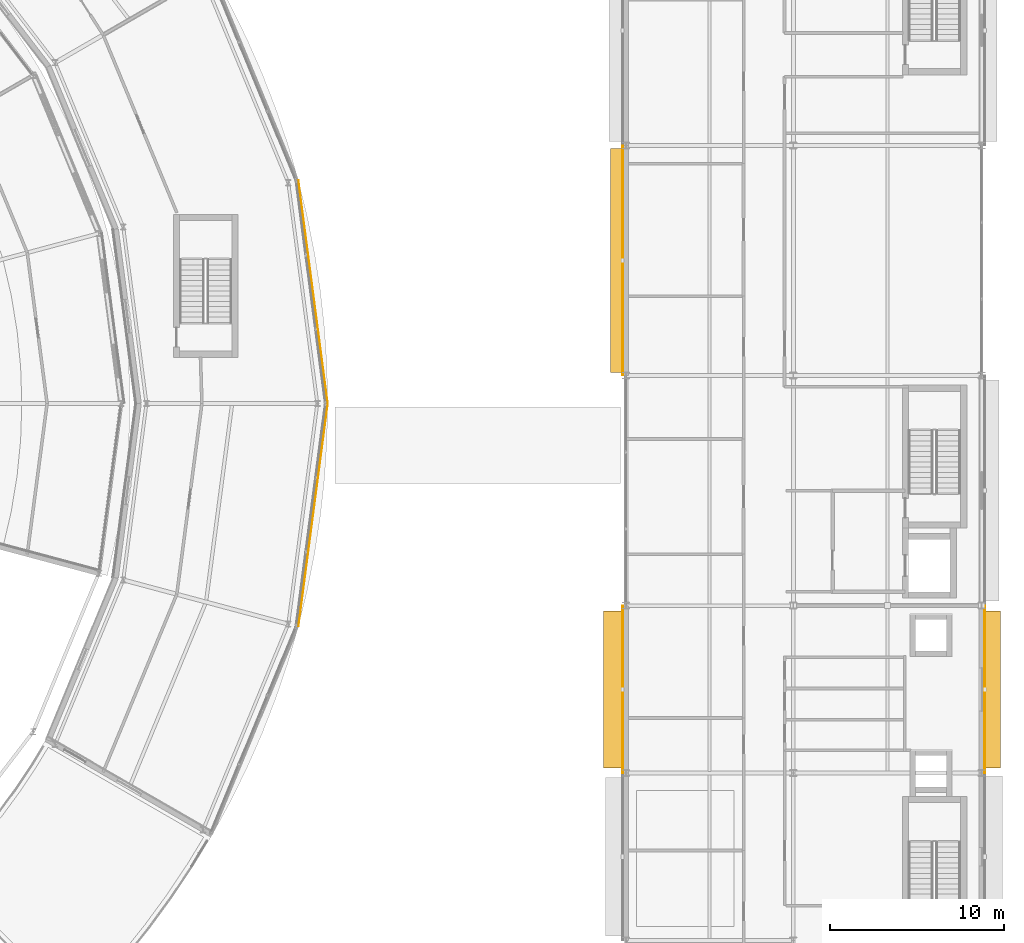
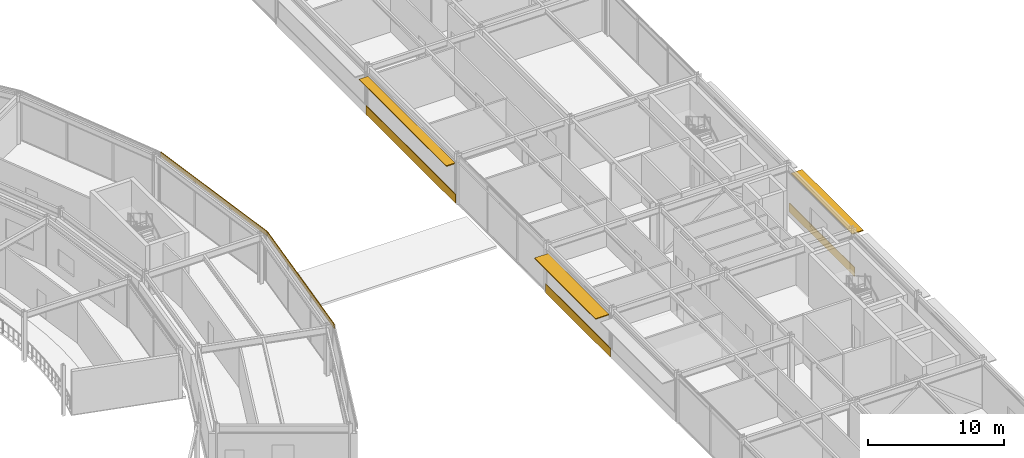
# One storey, part 131 of 133: 5 coverings, 3 shading devices.
"""IFC4 building model written with IfcOpenShell, lengths in metres."""

from ifc_helpers import new_model, si_unit, direction, frame, origin, origin_2d, place, context, subcontext, project, spatial, rectangle, extrude, material, layer, layer_set, type_object, element, save


model = new_model("IFC4")

# Units and contexts
model_context = context("Model", 3, precision=1e-05, world=origin(), true_north=direction((0.0, 1.0)))
body_context = subcontext(model_context, "Body", "Model", "MODEL_VIEW")
ifc_project = project(units=[si_unit("LENGTHUNIT", "METRE"), si_unit("AREAUNIT", "SQUARE_METRE"), si_unit("VOLUMEUNIT", "CUBIC_METRE"), si_unit("PLANEANGLEUNIT", "RADIAN"), si_unit("MASSUNIT", "GRAM", prefix="KILO")], contexts=[model_context])

# Site, building, storey
site_placement = place(None, origin())
site = spatial("IfcSite", under=ifc_project, at=site_placement, CompositionType="ELEMENT")
building_placement = place(site_placement, origin())
building = spatial("IfcBuilding", under=site, at=building_placement, Name="Almandine Court Research Institute", CompositionType="ELEMENT")
storey_placement = place(building_placement, frame((0.0, 0.0, 9.800048828125)))
storey = spatial("IfcBuildingStorey", under=building, at=storey_placement, Name="L02", CompositionType="ELEMENT", Elevation=9.800048828125)

# Coverings
ifc_material_1 = material(Name="Extruded Cream-Ochre Seismic Terracotta Spandrel", Category="masonry")
ifc_layer_1 = layer(ifc_material_1, 0.054931640625)
ifc_layer_set_1 = layer_set([ifc_layer_1], Name="Extruded Cream-Ochre Seismic Terracotta Spandrel")
covering_type = type_object("IfcCoveringType", Name="Cov-CLAD-TERR", PredefinedType="CLADDING", material=ifc_layer_set_1)
covering_1_placement = place(storey_placement, frame((153.428955078125, 39.60009765625, 0.02001953125), z_axis=(0.0, 0.0, 1.0), x_axis=(0.0, 1.0, 0.0)))
element("IfcCovering", 1, at=covering_1_placement, inside=storey, type_object=covering_type, Name="L02 Facade Spandrel Cladding Band 139", PredefinedType="CLADDING", context=body_context, shape_type="SweptSolid", body=[
    extrude(rectangle(XDim=9.592041015625, YDim=0.054931640625, at=origin_2d()), origin(), (0.0, 0.0, 1.0), 0.800048828125),
])
covering_2_placement = place(storey_placement, frame((153.428955078125, 64.199951171875, 0.02001953125), z_axis=(0.0, 0.0, 1.0), x_axis=(0.0, 1.0, 0.0)))
element("IfcCovering", 2, at=covering_2_placement, inside=storey, type_object=covering_type, Name="L02 Facade Spandrel Cladding Band 140", PredefinedType="CLADDING", context=body_context, shape_type="SweptSolid", body=[
    extrude(rectangle(XDim=13.19189453125, YDim=0.054931640625, at=origin_2d()), origin(), (0.0, 0.0, 1.0), 0.800048828125),
])
covering_3_placement = place(storey_placement, frame((174.1708984375, 39.60009765625, 0.02001953125), z_axis=(0.0, 0.0, 1.0), x_axis=(0.0, -1.0, 0.0)))
element("IfcCovering", 3, at=covering_3_placement, inside=storey, type_object=covering_type, Name="L02 Facade Spandrel Cladding Band 147", PredefinedType="CLADDING", context=body_context, shape_type="SweptSolid", body=[
    extrude(rectangle(XDim=9.592041015625, YDim=0.054931640625, at=origin_2d()), origin(), (0.0, 0.0, 1.0), 0.800048828125),
])
for number, where, z_axis, x_axis, name in (
    (4, (135.638916015625, 49.595947265625, 3.97998046875), (0.0, 0.0, 1.0), (-0.13052619222, -0.991444861374, 0.0), "L02 Drum Stacked Terracotta Ring Band 23"),
    (5, (135.638916015625, 62.404052734375, 3.97998046875), (0.0, 0.0, 1.0), (0.13052619222, -0.991444861374, 0.0), "L02 Drum Stacked Terracotta Ring Band 00"),
):
    element("IfcCovering", number, at=place(storey_placement, frame(where, z_axis=z_axis, x_axis=x_axis)), inside=storey, type_object=covering_type, Name=name, PredefinedType="CLADDING", context=body_context, shape_type="SweptSolid", body=[
        extrude(rectangle(XDim=12.8779296875, YDim=0.054931640625, at=origin_2d()), origin(), (0.0, 0.0, 1.0), 0.419921875),
    ])

# Shading devices
ifc_material_2 = material(Name="Precast GFRC Chhajja Sunshade and Acoustic Louvre", Category="concrete")
ifc_layer_2 = layer(ifc_material_2, 0.080078125)
ifc_layer_set_2 = layer_set([ifc_layer_2], Name="Precast GFRC Chhajja Sunshade and Acoustic Louvre")
shading_device_type_1 = type_object("IfcShadingDeviceType", Name="Shd-SD-23", PredefinedType="AWNING", material=ifc_layer_set_2)
shading_device_1_placement = place(storey_placement, frame((152.889892578125, 39.60009765625, 3.61279296875), z_axis=(0.0, 0.0, 1.0), x_axis=(0.0, 1.0, 0.0)))
element("IfcShadingDevice", 6, at=shading_device_1_placement, inside=storey, type_object=shading_device_type_1, Name="L02 Projecting Chhajja Sunshade 91", PredefinedType="AWNING", context=body_context, shape_type="SweptSolid", body=[
    extrude(rectangle(XDim=9.001953125, YDim=1.14990234375, at=origin_2d()), origin(), (0.0, 0.0, 1.0), 0.080078125),
])
ifc_layer_3 = layer(ifc_material_2, 0.080078125)
ifc_layer_set_3 = layer_set([ifc_layer_3], Name="Precast GFRC Chhajja Sunshade and Acoustic Louvre")
shading_device_type_2 = type_object("IfcShadingDeviceType", Name="Shd-SD-54", PredefinedType="AWNING", material=ifc_layer_set_3)
shading_device_2_placement = place(storey_placement, frame((153.090087890625, 64.199951171875, 3.4619140625), z_axis=(0.0, 0.0, 1.0), x_axis=(0.0, 1.0, 0.0)))
element("IfcShadingDevice", 7, at=shading_device_2_placement, inside=storey, type_object=shading_device_type_2, Name="L02 Projecting Chhajja Sunshade 92", PredefinedType="AWNING", context=body_context, shape_type="SweptSolid", body=[
    extrude(rectangle(XDim=12.842041015625, YDim=0.75, at=origin_2d()), origin(), (0.0, 0.0, 1.0), 0.080078125),
])
ifc_layer_4 = layer(ifc_material_2, 0.080078125)
ifc_layer_set_4 = layer_set([ifc_layer_4], Name="Precast GFRC Chhajja Sunshade and Acoustic Louvre")
shading_device_type_3 = type_object("IfcShadingDeviceType", Name="Shd-SD-58", PredefinedType="AWNING", material=ifc_layer_set_4)
shading_device_3_placement = place(storey_placement, frame((174.610107421875, 39.60009765625, 3.60400390625), z_axis=(0.0, 0.0, 1.0), x_axis=(0.0, -1.0, 0.0)))
element("IfcShadingDevice", 8, at=shading_device_3_placement, inside=storey, type_object=shading_device_type_3, Name="L02 Projecting Chhajja Sunshade 99", PredefinedType="AWNING", context=body_context, shape_type="SweptSolid", body=[
    extrude(rectangle(XDim=9.001953125, YDim=0.949951171875, at=origin_2d()), origin(), (0.0, 0.0, 1.0), 0.080078125),
])

save(model, "model.ifc")
